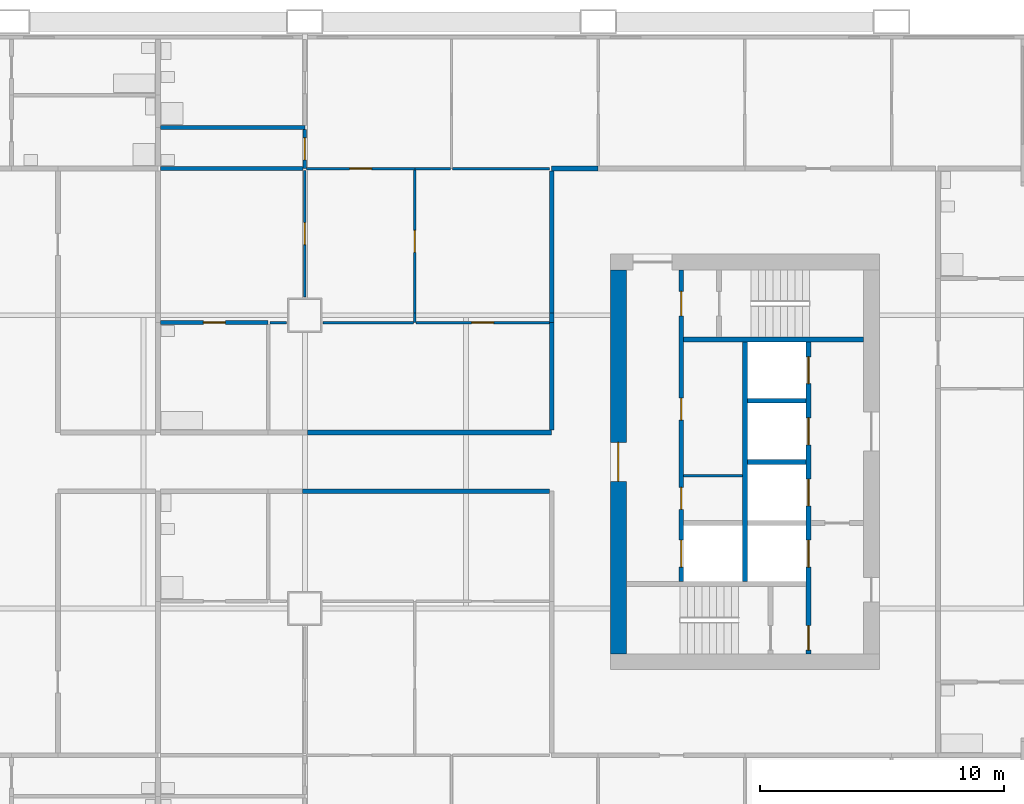
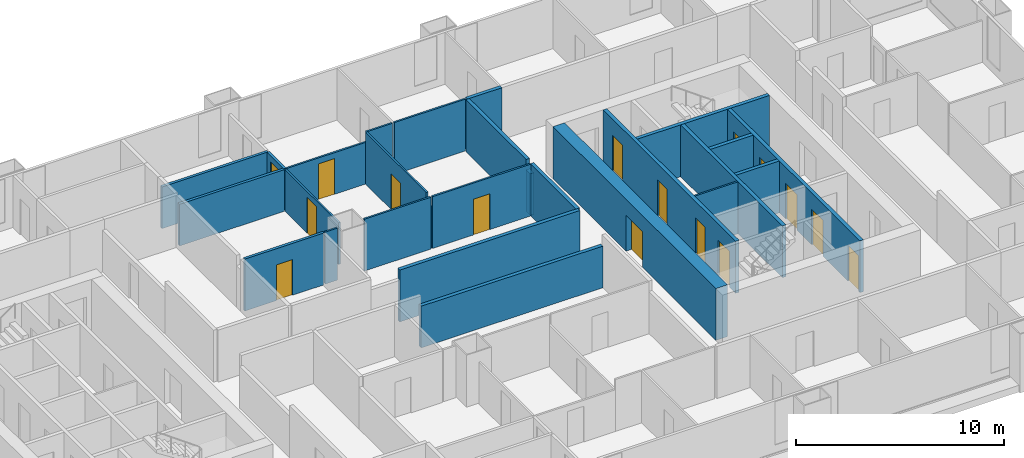
# One storey, part 6 of 11: 27 walls, 16 doors, 16 openings.
"""IFC4 building model written with IfcOpenShell, lengths in metres."""

from ifc_helpers import new_model, si_unit, direction, frame, frame_2d, origin, place, context, subcontext, project, spatial, rectangle, extrude, material, layer, layer_set, type_object, element, fill, save


model = new_model("IFC4")

# Units and contexts
model_context = context("Model", 3, precision=1e-05, world=origin(), true_north=direction((0.0, 1.0)))
body_context = subcontext(model_context, "Body", "Model", "MODEL_VIEW")
ifc_project = project(units=[si_unit("LENGTHUNIT", "METRE"), si_unit("AREAUNIT", "SQUARE_METRE"), si_unit("VOLUMEUNIT", "CUBIC_METRE"), si_unit("PLANEANGLEUNIT", "RADIAN"), si_unit("MASSUNIT", "GRAM", prefix="KILO")], contexts=[model_context])

# Site, building, storey
site_placement = place(None, origin())
site = spatial("IfcSite", under=ifc_project, at=site_placement, CompositionType="ELEMENT")
building_placement = place(site_placement, origin())
building = spatial("IfcBuilding", under=site, at=building_placement, Name="Kitamizu Gate Tower and Museum", CompositionType="ELEMENT")
storey_placement = place(building_placement, frame((0.0, 0.0, 106.949951171875)))
storey = spatial("IfcBuildingStorey", under=building, at=storey_placement, Name="L27", CompositionType="ELEMENT", Elevation=106.949951171875)

# Wall, opening, door
ifc_material_1 = material(Name="Concrete Fc60", Category="concrete")
ifc_layer_1 = layer(ifc_material_1, 0.64990234375)
ifc_layer_set_1 = layer_set([ifc_layer_1], Name="Concrete Fc60")
wall_type_1 = type_object("IfcWallType", Name="Core wall 650", PredefinedType="SHEAR", material=ifc_layer_set_1)
wall_1_placement = place(storey_placement, frame((48.824951171875, 22.14990234375, 0.0), z_axis=(0.0, 0.0, 1.0), x_axis=(0.0, 1.0, 0.0)))
wall_1 = element("IfcWall", 1, at=wall_1_placement, inside=storey, type_object=wall_type_1, Name="Core wall EARC", PredefinedType="SHEAR", context=body_context, shape_type="SweptSolid", body=[
    extrude(rectangle(XDim=15.7001953125, YDim=0.64990234375, at=frame_2d((7.85009765625, 0.0))), origin(), (0.0, 0.0, 1.0), 3.050048828125),
])
opening_1_placement = place(wall_1_placement, frame((7.050048828125, 0.0, 0.0)))
opening_1 = element("IfcOpeningElement", 2, at=opening_1_placement, cuts=wall_1, Name="Opening L27-072", PredefinedType="OPENING", context=body_context, shape_type="SweptSolid", body=[
    extrude(rectangle(XDim=1.60009765625, YDim=2.10009765625, at=frame_2d((0.800048828125, 1.050048828125))), frame((0.0, 0.3349609375, 0.0), z_axis=(0.0, -1.0, 0.0), x_axis=(1.0, 0.0, 0.0)), (0.0, 0.0, 1.0), 0.669921875),
])
ifc_material_2 = material(Name="Timber door set", Category="wood")
door_type_1 = type_object("IfcDoorType", Name="Entrance door 1600", OperationType="DOUBLE_DOOR_SINGLE_SWING", PredefinedType="DOOR", material=ifc_material_2)
door_1_placement = place(opening_1_placement, origin())
door_1 = element("IfcDoor", 3, at=door_1_placement, inside=storey, type_object=door_type_1, Name="Lobby door L27-072", OperationType="DOUBLE_DOOR_SINGLE_SWING", OverallHeight=2.10009765625, OverallWidth=1.60009765625, PredefinedType="DOOR", context=body_context, shape_type="SweptSolid", body=[
    extrude(rectangle(XDim=1.60009765625, YDim=2.10009765625, at=frame_2d((0.800048828125, 1.050048828125))), frame((0.0, 0.02490234375, 0.0), z_axis=(0.0, -1.0, 0.0), x_axis=(1.0, 0.0, 0.0)), (0.0, 0.0, 1.0), 0.050048828125),
])
fill(opening_1, door_1)

# Wall
ifc_material_3 = material(Name="Gypsum board on galvanised stud")
ifc_layer_2 = layer(ifc_material_3, 0.10009765625)
ifc_layer_set_2 = layer_set([ifc_layer_2], Name="Gypsum board on galvanised stud")
wall_type_2 = type_object("IfcWallType", Name="Partition 100", PredefinedType="PARTITIONING", material=ifc_layer_set_2)
wall_2_placement = place(storey_placement, frame((53.89990234375, 29.425048828125, 0.0), z_axis=(0.0, 0.0, 1.0), x_axis=(-1.0, 0.0, 0.0)))
element("IfcWall", 4, at=wall_2_placement, inside=storey, type_object=wall_type_2, Name="Partition EPF1", PredefinedType="PARTITIONING", context=body_context, shape_type="SweptSolid", body=[
    extrude(rectangle(XDim=2.39990234375, YDim=0.10009765625, at=frame_2d((1.199951171875, 0.0))), origin(), (0.0, 0.0, 1.0), 3.050048828125),
])

# Wall, opening, door
ifc_material_4 = material(Name="Gypsum board on galvanised stud")
ifc_layer_3 = layer(ifc_material_4, 0.10009765625)
ifc_layer_set_3 = layer_set([ifc_layer_3], Name="Gypsum board on galvanised stud")
wall_type_3 = type_object("IfcWallType", Name="Partition 100 NOT RATED", PredefinedType="PARTITIONING", material=ifc_layer_set_3)
wall_3_placement = place(storey_placement, frame((36.074951171875, 42.0, 0.0), z_axis=(0.0, 0.0, 1.0), x_axis=(1.0, 0.0, 0.0)))
wall_3 = element("IfcWall", 5, at=wall_3_placement, inside=storey, type_object=wall_type_3, Name="Partition L27-112", PredefinedType="PARTITIONING", context=body_context, shape_type="SweptSolid", body=[
    extrude(rectangle(XDim=4.425048828125, YDim=0.10009765625, at=frame_2d((2.21240234375, 0.0))), origin(), (0.0, 0.0, 1.0), 2.449951171875),
])
opening_2_placement = place(wall_3_placement, frame((1.762451171875, 0.0, 0.0)))
opening_2 = element("IfcOpeningElement", 6, at=opening_2_placement, cuts=wall_3, Name="Opening L27-044", PredefinedType="OPENING", context=body_context, shape_type="SweptSolid", body=[
    extrude(rectangle(XDim=0.89990234375, YDim=2.10009765625, at=frame_2d((0.449951171875, 1.050048828125))), frame((0.0, 0.06005859375, 0.0), z_axis=(0.0, -1.0, 0.0), x_axis=(1.0, 0.0, 0.0)), (0.0, 0.0, 1.0), 0.1201171875),
])
ifc_material_5 = material(Name="Timber door set", Category="wood")
door_type_2 = type_object("IfcDoorType", Name="Room door 900", OperationType="NOTDEFINED", PredefinedType="DOOR", material=ifc_material_5)
door_2_placement = place(opening_2_placement, frame((0.89990234375, 0.0, 0.0), x_axis=(-1.0, 0.0, 0.0)))
door_2 = element("IfcDoor", 7, at=door_2_placement, inside=storey, type_object=door_type_2, Name="Door L27-044", OperationType="SINGLE_SWING_RIGHT", OverallHeight=2.10009765625, OverallWidth=0.89990234375, PredefinedType="DOOR", context=body_context, shape_type="SweptSolid", body=[
    extrude(rectangle(XDim=0.89990234375, YDim=2.10009765625, at=frame_2d((0.449951171875, 1.050048828125))), frame((0.0, 0.02490234375, 0.0), z_axis=(0.0, -1.0, 0.0), x_axis=(1.0, 0.0, 0.0)), (0.0, 0.0, 1.0), 0.050048828125),
])
fill(opening_2, door_2)

# Walls
wall_4_placement = place(storey_placement, frame((40.5, 42.0, 0.0), z_axis=(0.0, 0.0, 1.0), x_axis=(1.0, 0.0, 0.0)))
element("IfcWall", 8, at=wall_4_placement, inside=storey, type_object=wall_type_3, Name="Partition L27-113", PredefinedType="PARTITIONING", context=body_context, shape_type="SweptSolid", body=[
    extrude(rectangle(XDim=1.449951171875, YDim=0.10009765625, at=frame_2d((0.72509765625, 0.0))), origin(), (0.0, 0.0, 1.0), 3.050048828125),
])
wall_5_placement = place(storey_placement, frame((42.050048828125, 42.0, 0.0), z_axis=(0.0, 0.0, 1.0), x_axis=(1.0, 0.0, 0.0)))
element("IfcWall", 9, at=wall_5_placement, inside=storey, type_object=wall_type_3, Name="Partition L27-115", PredefinedType="PARTITIONING", context=body_context, shape_type="SweptSolid", body=[
    extrude(rectangle(XDim=3.949951171875, YDim=0.10009765625, at=frame_2d((1.97509765625, 0.0))), origin(), (0.0, 0.0, 1.0), 3.050048828125),
])

# Wall, opening, door
wall_6_placement = place(storey_placement, frame((36.0, 36.75, 0.0), z_axis=(0.0, 0.0, 1.0), x_axis=(0.0, 1.0, 0.0)))
wall_6 = element("IfcWall", 10, at=wall_6_placement, inside=storey, type_object=wall_type_3, Name="Partition L27-122", PredefinedType="PARTITIONING", context=body_context, shape_type="SweptSolid", body=[
    extrude(rectangle(XDim=5.175048828125, YDim=0.10009765625, at=frame_2d((2.58740234375, 0.0))), origin(), (0.0, 0.0, 1.0), 2.449951171875),
])
opening_3_placement = place(wall_6_placement, frame((2.137451171875, 0.0, 0.0)))
opening_3 = element("IfcOpeningElement", 11, at=opening_3_placement, cuts=wall_6, Name="Opening L27-049", PredefinedType="OPENING", context=body_context, shape_type="SweptSolid", body=[
    extrude(rectangle(XDim=0.89990234375, YDim=2.10009765625, at=frame_2d((0.449951171875, 1.050048828125))), frame((0.0, 0.06005859375, 0.0), z_axis=(0.0, -1.0, 0.0), x_axis=(1.0, 0.0, 0.0)), (0.0, 0.0, 1.0), 0.1201171875),
])
door_3_placement = place(opening_3_placement, frame((0.89990234375, 0.0, 0.0), x_axis=(-1.0, 0.0, 0.0)))
door_3 = element("IfcDoor", 12, at=door_3_placement, inside=storey, type_object=door_type_2, Name="Door L27-049", OperationType="SINGLE_SWING_LEFT", OverallHeight=2.10009765625, OverallWidth=0.89990234375, PredefinedType="DOOR", context=body_context, shape_type="SweptSolid", body=[
    extrude(rectangle(XDim=0.89990234375, YDim=2.10009765625, at=frame_2d((0.449951171875, 1.050048828125))), frame((0.0, 0.02490234375, 0.0), z_axis=(0.0, -1.0, 0.0), x_axis=(1.0, 0.0, 0.0)), (0.0, 0.0, 1.0), 0.050048828125),
])
fill(opening_3, door_3)

# Walls
wall_7_placement = place(storey_placement, frame((34.574951171875, 35.699951171875, 0.0), z_axis=(0.0, 0.0, 1.0), x_axis=(1.0, 0.0, 0.0)))
element("IfcWall", 13, at=wall_7_placement, inside=storey, type_object=wall_type_3, Name="Partition L27-124", PredefinedType="PARTITIONING", context=body_context, shape_type="SweptSolid", body=[
    extrude(rectangle(XDim=0.675048828125, YDim=0.10009765625, at=frame_2d((0.33740234375, 0.0))), origin(), (0.0, 0.0, 1.0), 3.050048828125),
])
wall_8_placement = place(storey_placement, frame((40.5, 35.699951171875, 0.0), z_axis=(0.0, 0.0, 1.0), x_axis=(0.0, 1.0, 0.0)))
element("IfcWall", 14, at=wall_8_placement, inside=storey, type_object=wall_type_3, Name="Partition L27-125", PredefinedType="PARTITIONING", context=body_context, shape_type="SweptSolid", body=[
    extrude(rectangle(XDim=0.400146484375, YDim=0.10009765625, at=frame_2d((0.2001953125, 0.0))), origin(), (0.0, 0.0, 1.0), 2.449951171875),
])

# Wall, opening, door
wall_9_placement = place(storey_placement, frame((40.5, 36.10009765625, 0.0), z_axis=(0.0, 0.0, 1.0), x_axis=(0.0, 1.0, 0.0)))
wall_9 = element("IfcWall", 15, at=wall_9_placement, inside=storey, type_object=wall_type_3, Name="Partition L27-126", PredefinedType="PARTITIONING", context=body_context, shape_type="SweptSolid", body=[
    extrude(rectangle(XDim=5.849853515625, YDim=0.10009765625, at=frame_2d((2.9248046875, 0.0))), origin(), (0.0, 0.0, 1.0), 3.050048828125),
])
opening_4_placement = place(wall_9_placement, frame((2.47509765625, 0.0, 0.0)))
opening_4 = element("IfcOpeningElement", 16, at=opening_4_placement, cuts=wall_9, Name="Opening L27-045", PredefinedType="OPENING", context=body_context, shape_type="SweptSolid", body=[
    extrude(rectangle(XDim=0.89990234375, YDim=2.10009765625, at=frame_2d((0.449951171875, 1.050048828125))), frame((0.0, 0.06005859375, 0.0), z_axis=(0.0, -1.0, 0.0), x_axis=(1.0, 0.0, 0.0)), (0.0, 0.0, 1.0), 0.1201171875),
])
door_4_placement = place(opening_4_placement, origin())
door_4 = element("IfcDoor", 17, at=door_4_placement, inside=storey, type_object=door_type_2, Name="Door L27-045", OperationType="SINGLE_SWING_RIGHT", OverallHeight=2.10009765625, OverallWidth=0.89990234375, PredefinedType="DOOR", context=body_context, shape_type="SweptSolid", body=[
    extrude(rectangle(XDim=0.89990234375, YDim=2.10009765625, at=frame_2d((0.449951171875, 1.050048828125))), frame((0.0, 0.02490234375, 0.0), z_axis=(0.0, -1.0, 0.0), x_axis=(1.0, 0.0, 0.0)), (0.0, 0.0, 1.0), 0.050048828125),
])
fill(opening_4, door_4)

# Wall
wall_10_placement = place(storey_placement, frame((36.75, 35.699951171875, 0.0), z_axis=(0.0, 0.0, 1.0), x_axis=(1.0, 0.0, 0.0)))
element("IfcWall", 18, at=wall_10_placement, inside=storey, type_object=wall_type_3, Name="Partition L27-127", PredefinedType="PARTITIONING", context=body_context, shape_type="SweptSolid", body=[
    extrude(rectangle(XDim=3.699951171875, YDim=0.10009765625, at=frame_2d((1.85009765625, 0.0))), origin(), (0.0, 0.0, 1.0), 3.050048828125),
])

# Wall, opening, door
wall_11_placement = place(storey_placement, frame((40.550048828125, 35.699951171875, 0.0), z_axis=(0.0, 0.0, 1.0), x_axis=(1.0, 0.0, 0.0)))
wall_11 = element("IfcWall", 19, at=wall_11_placement, inside=storey, type_object=wall_type_3, Name="Partition L27-128", PredefinedType="PARTITIONING", context=body_context, shape_type="SweptSolid", body=[
    extrude(rectangle(XDim=5.449951171875, YDim=0.10009765625, at=frame_2d((2.72509765625, 0.0))), origin(), (0.0, 0.0, 1.0), 3.050048828125),
])
opening_5_placement = place(wall_11_placement, frame((2.27490234375, 0.0, 0.0)))
opening_5 = element("IfcOpeningElement", 20, at=opening_5_placement, cuts=wall_11, Name="Opening L27-046", PredefinedType="OPENING", context=body_context, shape_type="SweptSolid", body=[
    extrude(rectangle(XDim=0.89990234375, YDim=2.10009765625, at=frame_2d((0.449951171875, 1.050048828125))), frame((0.0, 0.06005859375, 0.0), z_axis=(0.0, -1.0, 0.0), x_axis=(1.0, 0.0, 0.0)), (0.0, 0.0, 1.0), 0.1201171875),
])
door_5_placement = place(opening_5_placement, origin())
door_5 = element("IfcDoor", 21, at=door_5_placement, inside=storey, type_object=door_type_2, Name="Door L27-046", OperationType="SINGLE_SWING_LEFT", OverallHeight=2.10009765625, OverallWidth=0.89990234375, PredefinedType="DOOR", context=body_context, shape_type="SweptSolid", body=[
    extrude(rectangle(XDim=0.89990234375, YDim=2.10009765625, at=frame_2d((0.449951171875, 1.050048828125))), frame((0.0, 0.02490234375, 0.0), z_axis=(0.0, -1.0, 0.0), x_axis=(1.0, 0.0, 0.0)), (0.0, 0.0, 1.0), 0.050048828125),
])
fill(opening_5, door_5)

# Wall
ifc_material_6 = material(Name="Gypsum board on galvanised stud")
ifc_layer_4 = layer(ifc_material_6, 0.14990234375)
ifc_layer_set_4 = layer_set([ifc_layer_4], Name="Gypsum board on galvanised stud")
wall_type_4 = type_object("IfcWallType", Name="Partition 150", PredefinedType="PARTITIONING", material=ifc_layer_set_4)
wall_12_placement = place(storey_placement, frame((30.10009765625, 43.679931640625, 0.0), z_axis=(0.0, 0.0, 1.0), x_axis=(1.0, 0.0, 0.0)))
element("IfcWall", 22, at=wall_12_placement, inside=storey, type_object=wall_type_4, Name="Partition L27-107", PredefinedType="PARTITIONING", context=body_context, shape_type="SweptSolid", body=[
    extrude(rectangle(XDim=5.89990234375, YDim=0.14990234375, at=frame_2d((2.949951171875, 0.0))), origin(), (0.0, 0.0, 1.0), 2.449951171875),
])

# Wall, opening, door
wall_13_placement = place(storey_placement, frame((36.0, 42.0, 0.0), z_axis=(0.0, 0.0, 1.0), x_axis=(0.0, 1.0, 0.0)))
wall_13 = element("IfcWall", 23, at=wall_13_placement, inside=storey, type_object=wall_type_4, Name="Partition L27-109", PredefinedType="PARTITIONING", context=body_context, shape_type="SweptSolid", body=[
    extrude(rectangle(XDim=1.60498046875, YDim=0.14990234375, at=frame_2d((0.802490234375, 0.0))), origin(), (0.0, 0.0, 1.0), 2.449951171875),
])
opening_6_placement = place(wall_13_placement, frame((0.3525390625, 0.0, 0.0)))
opening_6 = element("IfcOpeningElement", 24, at=opening_6_placement, cuts=wall_13, Name="Opening L27-048", PredefinedType="OPENING", context=body_context, shape_type="SweptSolid", body=[
    extrude(rectangle(XDim=0.89990234375, YDim=2.10009765625, at=frame_2d((0.449951171875, 1.050048828125))), frame((0.0, 0.0849609375, 0.0), z_axis=(0.0, -1.0, 0.0), x_axis=(1.0, 0.0, 0.0)), (0.0, 0.0, 1.0), 0.169921875),
])
ifc_material_7 = material(Name="Timber door set", Category="wood")
door_type_3 = type_object("IfcDoorType", Name="Bathroom door 900", OperationType="NOTDEFINED", PredefinedType="DOOR", material=ifc_material_7)
door_6_placement = place(opening_6_placement, origin())
door_6 = element("IfcDoor", 25, at=door_6_placement, inside=storey, type_object=door_type_3, Name="Bathroom door L27-048", OperationType="SINGLE_SWING_LEFT", OverallHeight=2.10009765625, OverallWidth=0.89990234375, PredefinedType="DOOR", context=body_context, shape_type="SweptSolid", body=[
    extrude(rectangle(XDim=0.89990234375, YDim=2.10009765625, at=frame_2d((0.449951171875, 1.050048828125))), frame((0.0, 0.02490234375, 0.0), z_axis=(0.0, -1.0, 0.0), x_axis=(1.0, 0.0, 0.0)), (0.0, 0.0, 1.0), 0.050048828125),
])
fill(opening_6, door_6)

# Wall
wall_14_placement = place(storey_placement, frame((30.10009765625, 42.0, 0.0), z_axis=(0.0, 0.0, 1.0), x_axis=(1.0, 0.0, 0.0)))
element("IfcWall", 26, at=wall_14_placement, inside=storey, type_object=wall_type_4, Name="Partition L27-110", PredefinedType="PARTITIONING", context=body_context, shape_type="SweptSolid", body=[
    extrude(rectangle(XDim=5.824951171875, YDim=0.14990234375, at=frame_2d((2.91259765625, 0.0))), origin(), (0.0, 0.0, 1.0), 2.449951171875),
])

# Wall, opening, door
wall_15_placement = place(storey_placement, frame((30.10009765625, 35.699951171875, 0.0), z_axis=(0.0, 0.0, 1.0), x_axis=(1.0, 0.0, 0.0)))
wall_15 = element("IfcWall", 27, at=wall_15_placement, inside=storey, type_object=wall_type_4, Name="Partition L27-123", PredefinedType="PARTITIONING", context=body_context, shape_type="SweptSolid", body=[
    extrude(rectangle(XDim=4.39990234375, YDim=0.14990234375, at=frame_2d((2.199951171875, 0.0))), origin(), (0.0, 0.0, 1.0), 3.050048828125),
])
opening_7_placement = place(wall_15_placement, frame((1.75, 0.0, 0.0)))
opening_7 = element("IfcOpeningElement", 28, at=opening_7_placement, cuts=wall_15, Name="Opening L27-050", PredefinedType="OPENING", context=body_context, shape_type="SweptSolid", body=[
    extrude(rectangle(XDim=0.89990234375, YDim=2.10009765625, at=frame_2d((0.449951171875, 1.050048828125))), frame((0.0, 0.0849609375, 0.0), z_axis=(0.0, -1.0, 0.0), x_axis=(1.0, 0.0, 0.0)), (0.0, 0.0, 1.0), 0.169921875),
])
door_7_placement = place(opening_7_placement, frame((0.89990234375, 0.0, 0.0), x_axis=(-1.0, 0.0, 0.0)))
door_7 = element("IfcDoor", 29, at=door_7_placement, inside=storey, type_object=door_type_3, Name="Bathroom door L27-050", OperationType="SINGLE_SWING_RIGHT", OverallHeight=2.10009765625, OverallWidth=0.89990234375, PredefinedType="DOOR", context=body_context, shape_type="SweptSolid", body=[
    extrude(rectangle(XDim=0.89990234375, YDim=2.10009765625, at=frame_2d((0.449951171875, 1.050048828125))), frame((0.0, 0.02490234375, 0.0), z_axis=(0.0, -1.0, 0.0), x_axis=(1.0, 0.0, 0.0)), (0.0, 0.0, 1.0), 0.050048828125),
])
fill(opening_7, door_7)

# Walls
ifc_material_8 = material(Name="Gypsum board on galvanised stud")
ifc_layer_5 = layer(ifc_material_8, 0.199951171875)
ifc_layer_set_5 = layer_set([ifc_layer_5], Name="Gypsum board on galvanised stud")
wall_type_5 = type_object("IfcWallType", Name="Partition 200", PredefinedType="PARTITIONING", material=ifc_layer_set_5)
wall_16_placement = place(storey_placement, frame((46.0, 28.800048828125, 0.0), z_axis=(0.0, 0.0, 1.0), x_axis=(-1.0, 0.0, 0.0)))
element("IfcWall", 30, at=wall_16_placement, inside=storey, type_object=wall_type_5, Name="Partition L27-066", PredefinedType="PARTITIONING", context=body_context, shape_type="SweptSolid", body=[
    extrude(rectangle(XDim=10.10009765625, YDim=0.199951171875, at=frame_2d((5.050048828125, 0.0))), origin(), (0.0, 0.0, 1.0), 2.449951171875),
])
wall_17_placement = place(storey_placement, frame((46.10009765625, 42.0, 0.0), z_axis=(0.0, 0.0, 1.0), x_axis=(1.0, 0.0, 0.0)))
element("IfcWall", 31, at=wall_17_placement, inside=storey, type_object=wall_type_5, Name="Partition L27-116", PredefinedType="PARTITIONING", context=body_context, shape_type="SweptSolid", body=[
    extrude(rectangle(XDim=1.89990234375, YDim=0.199951171875, at=frame_2d((0.949951171875, 0.0))), origin(), (0.0, 0.0, 1.0), 3.050048828125),
])
wall_18_placement = place(storey_placement, frame((46.10009765625, 35.699951171875, 0.0), z_axis=(0.0, 0.0, 1.0), x_axis=(0.0, 1.0, 0.0)))
element("IfcWall", 32, at=wall_18_placement, inside=storey, type_object=wall_type_5, Name="Partition L27-129", PredefinedType="PARTITIONING", context=body_context, shape_type="SweptSolid", body=[
    extrude(rectangle(XDim=0.400146484375, YDim=0.199951171875, at=frame_2d((0.2001953125, 0.0))), origin(), (0.0, 0.0, 1.0), 2.449951171875),
])
wall_19_placement = place(storey_placement, frame((46.10009765625, 36.10009765625, 0.0), z_axis=(0.0, 0.0, 1.0), x_axis=(0.0, 1.0, 0.0)))
element("IfcWall", 33, at=wall_19_placement, inside=storey, type_object=wall_type_5, Name="Partition L27-130", PredefinedType="PARTITIONING", context=body_context, shape_type="SweptSolid", body=[
    extrude(rectangle(XDim=5.7998046875, YDim=0.199951171875, at=frame_2d((2.89990234375, 0.0))), origin(), (0.0, 0.0, 1.0), 3.050048828125),
])
wall_20_placement = place(storey_placement, frame((36.10009765625, 31.199951171875, 0.0), z_axis=(0.0, 0.0, 1.0), x_axis=(1.0, 0.0, 0.0)))
element("IfcWall", 34, at=wall_20_placement, inside=storey, type_object=wall_type_5, Name="Partition L27-134", PredefinedType="PARTITIONING", context=body_context, shape_type="SweptSolid", body=[
    extrude(rectangle(XDim=10.0, YDim=0.199951171875, at=frame_2d((5.0, 0.0))), origin(), (0.0, 0.0, 1.0), 3.050048828125),
])
wall_21_placement = place(storey_placement, frame((46.10009765625, 31.300048828125, 0.0), z_axis=(0.0, 0.0, 1.0), x_axis=(0.0, 1.0, 0.0)))
element("IfcWall", 35, at=wall_21_placement, inside=storey, type_object=wall_type_5, Name="Partition L27-135", PredefinedType="PARTITIONING", context=body_context, shape_type="SweptSolid", body=[
    extrude(rectangle(XDim=4.39990234375, YDim=0.199951171875, at=frame_2d((2.199951171875, 0.0))), origin(), (0.0, 0.0, 1.0), 3.050048828125),
])

# Wall, openings, doors
ifc_material_9 = material(Name="Concrete Fc42", Category="concrete")
ifc_layer_6 = layer(ifc_material_9, 0.199951171875)
ifc_layer_set_6 = layer_set([ifc_layer_6], Name="Concrete Fc42")
wall_type_6 = type_object("IfcWallType", Name="Shaft wall 200", PredefinedType="SOLIDWALL", material=ifc_layer_set_6)
wall_22_placement = place(storey_placement, frame((56.60009765625, 22.14990234375, 0.0), z_axis=(0.0, 0.0, 1.0), x_axis=(0.0, 1.0, 0.0)))
wall_22 = element("IfcWall", 36, at=wall_22_placement, inside=storey, type_object=wall_type_6, Name="Shaft wall EWEST", PredefinedType="SOLIDWALL", context=body_context, shape_type="SweptSolid", body=[
    extrude(rectangle(XDim=12.75, YDim=0.199951171875, at=frame_2d((6.375, 0.0))), origin(), (0.0, 0.0, 1.0), 3.050048828125),
])
opening_8_placement = place(wall_22_placement, frame((3.550048828125, 0.0, 0.0)))
opening_8 = element("IfcOpeningElement", 37, at=opening_8_placement, cuts=wall_22, Name="Opening LD", PredefinedType="OPENING", context=body_context, shape_type="SweptSolid", body=[
    extrude(rectangle(XDim=1.10009765625, YDim=2.10009765625, at=frame_2d((0.550048828125, 1.050048828125))), frame((0.0, 0.10986328125, 0.0), z_axis=(0.0, -1.0, 0.0), x_axis=(1.0, 0.0, 0.0)), (0.0, 0.0, 1.0), 0.219970703125),
])
opening_9_placement = place(wall_22_placement, frame((6.050048828125, 0.0, 0.0)))
opening_9 = element("IfcOpeningElement", 38, at=opening_9_placement, cuts=wall_22, Name="Opening LD", PredefinedType="OPENING", context=body_context, shape_type="SweptSolid", body=[
    extrude(rectangle(XDim=1.10009765625, YDim=2.10009765625, at=frame_2d((0.550048828125, 1.050048828125))), frame((0.0, 0.10986328125, 0.0), z_axis=(0.0, -1.0, 0.0), x_axis=(1.0, 0.0, 0.0)), (0.0, 0.0, 1.0), 0.219970703125),
])
opening_10_placement = place(wall_22_placement, frame((8.550048828125, 0.0, 0.0)))
opening_10 = element("IfcOpeningElement", 39, at=opening_10_placement, cuts=wall_22, Name="Opening LD", PredefinedType="OPENING", context=body_context, shape_type="SweptSolid", body=[
    extrude(rectangle(XDim=1.10009765625, YDim=2.10009765625, at=frame_2d((0.550048828125, 1.050048828125))), frame((0.0, 0.10986328125, 0.0), z_axis=(0.0, -1.0, 0.0), x_axis=(1.0, 0.0, 0.0)), (0.0, 0.0, 1.0), 0.219970703125),
])
opening_11_placement = place(wall_22_placement, frame((11.050048828125, 0.0, 0.0)))
opening_11 = element("IfcOpeningElement", 40, at=opening_11_placement, cuts=wall_22, Name="Opening LD", PredefinedType="OPENING", context=body_context, shape_type="SweptSolid", body=[
    extrude(rectangle(XDim=1.10009765625, YDim=2.10009765625, at=frame_2d((0.550048828125, 1.050048828125))), frame((0.0, 0.10986328125, 0.0), z_axis=(0.0, -1.0, 0.0), x_axis=(1.0, 0.0, 0.0)), (0.0, 0.0, 1.0), 0.219970703125),
])
opening_12_placement = place(wall_22_placement, frame((0.14990234375, 0.0, 0.0)))
opening_12 = element("IfcOpeningElement", 41, at=opening_12_placement, cuts=wall_22, Name="Opening L27-065", PredefinedType="OPENING", context=body_context, shape_type="SweptSolid", body=[
    extrude(rectangle(XDim=1.0, YDim=2.10009765625, at=frame_2d((0.5, 1.050048828125))), frame((0.0, 0.10986328125, 0.0), z_axis=(0.0, -1.0, 0.0), x_axis=(1.0, 0.0, 0.0)), (0.0, 0.0, 1.0), 0.219970703125),
])
ifc_material_10 = material(Name="Hollow metal door set")
door_type_4 = type_object("IfcDoorType", Name="Fire door 1000", OperationType="NOTDEFINED", PredefinedType="DOOR", material=ifc_material_10)
door_8_placement = place(opening_12_placement, origin())
door_8 = element("IfcDoor", 42, at=door_8_placement, inside=storey, type_object=door_type_4, Name="Stair lobby door L27-065", OperationType="SINGLE_SWING_RIGHT", OverallHeight=2.10009765625, OverallWidth=1.0, PredefinedType="DOOR", context=body_context, shape_type="SweptSolid", body=[
    extrude(rectangle(XDim=1.0, YDim=2.10009765625, at=frame_2d((0.5, 1.050048828125))), frame((0.0, 0.02490234375, 0.0), z_axis=(0.0, -1.0, 0.0), x_axis=(1.0, 0.0, 0.0)), (0.0, 0.0, 1.0), 0.050048828125),
])
fill(opening_12, door_8)
ifc_material_11 = material(Name="Hollow metal door set")
door_type_5 = type_object("IfcDoorType", Name="Landing door 1100", OperationType="SLIDING_TO_LEFT", PredefinedType="DOOR", material=ifc_material_11)
door_9_placement = place(opening_8_placement, origin())
door_9 = element("IfcDoor", 43, at=door_9_placement, inside=storey, type_object=door_type_5, Name="Landing door EFF1", OperationType="SLIDING_TO_LEFT", OverallHeight=2.10009765625, OverallWidth=1.10009765625, PredefinedType="DOOR", context=body_context, shape_type="SweptSolid", body=[
    extrude(rectangle(XDim=1.10009765625, YDim=2.10009765625, at=frame_2d((0.550048828125, 1.050048828125))), frame((0.0, 0.02490234375, 0.0), z_axis=(0.0, -1.0, 0.0), x_axis=(1.0, 0.0, 0.0)), (0.0, 0.0, 1.0), 0.050048828125),
])
fill(opening_8, door_9)
door_10_placement = place(opening_9_placement, origin())
door_10 = element("IfcDoor", 44, at=door_10_placement, inside=storey, type_object=door_type_5, Name="Landing door EL1", OperationType="SLIDING_TO_LEFT", OverallHeight=2.10009765625, OverallWidth=1.10009765625, PredefinedType="DOOR", context=body_context, shape_type="SweptSolid", body=[
    extrude(rectangle(XDim=1.10009765625, YDim=2.10009765625, at=frame_2d((0.550048828125, 1.050048828125))), frame((0.0, 0.02490234375, 0.0), z_axis=(0.0, -1.0, 0.0), x_axis=(1.0, 0.0, 0.0)), (0.0, 0.0, 1.0), 0.050048828125),
])
fill(opening_9, door_10)
door_11_placement = place(opening_10_placement, origin())
door_11 = element("IfcDoor", 45, at=door_11_placement, inside=storey, type_object=door_type_5, Name="Landing door EL2", OperationType="SLIDING_TO_LEFT", OverallHeight=2.10009765625, OverallWidth=1.10009765625, PredefinedType="DOOR", context=body_context, shape_type="SweptSolid", body=[
    extrude(rectangle(XDim=1.10009765625, YDim=2.10009765625, at=frame_2d((0.550048828125, 1.050048828125))), frame((0.0, 0.02490234375, 0.0), z_axis=(0.0, -1.0, 0.0), x_axis=(1.0, 0.0, 0.0)), (0.0, 0.0, 1.0), 0.050048828125),
])
fill(opening_10, door_11)
door_12_placement = place(opening_11_placement, origin())
door_12 = element("IfcDoor", 46, at=door_12_placement, inside=storey, type_object=door_type_5, Name="Landing door EL3", OperationType="SLIDING_TO_LEFT", OverallHeight=2.10009765625, OverallWidth=1.10009765625, PredefinedType="DOOR", context=body_context, shape_type="SweptSolid", body=[
    extrude(rectangle(XDim=1.10009765625, YDim=2.10009765625, at=frame_2d((0.550048828125, 1.050048828125))), frame((0.0, 0.02490234375, 0.0), z_axis=(0.0, -1.0, 0.0), x_axis=(1.0, 0.0, 0.0)), (0.0, 0.0, 1.0), 0.050048828125),
])
fill(opening_11, door_12)

wall_23_placement = place(storey_placement, frame((51.39990234375, 25.10009765625, 0.0), z_axis=(0.0, 0.0, 1.0), x_axis=(0.0, 1.0, 0.0)))
wall_23 = element("IfcWall", 47, at=wall_23_placement, inside=storey, type_object=wall_type_6, Name="Shaft wall EEAST", PredefinedType="SOLIDWALL", context=body_context, shape_type="SweptSolid", body=[
    extrude(rectangle(XDim=12.75, YDim=0.199951171875, at=frame_2d((6.375, 0.0))), origin(), (0.0, 0.0, 1.0), 3.050048828125),
])
opening_13_placement = place(wall_23_placement, frame((0.60009765625, 0.0, 0.0)))
opening_13 = element("IfcOpeningElement", 48, at=opening_13_placement, cuts=wall_23, Name="Opening LD", PredefinedType="OPENING", context=body_context, shape_type="SweptSolid", body=[
    extrude(rectangle(XDim=1.10009765625, YDim=2.10009765625, at=frame_2d((0.550048828125, 1.050048828125))), frame((0.0, 0.10986328125, 0.0), z_axis=(0.0, -1.0, 0.0), x_axis=(1.0, 0.0, 0.0)), (0.0, 0.0, 1.0), 0.219970703125),
])
opening_14_placement = place(wall_23_placement, frame((10.875, 0.0, 0.0)))
opening_14 = element("IfcOpeningElement", 49, at=opening_14_placement, cuts=wall_23, Name="Opening L27-066", PredefinedType="OPENING", context=body_context, shape_type="SweptSolid", body=[
    extrude(rectangle(XDim=1.0, YDim=2.10009765625, at=frame_2d((0.5, 1.050048828125))), frame((0.0, 0.10986328125, 0.0), z_axis=(0.0, -1.0, 0.0), x_axis=(1.0, 0.0, 0.0)), (0.0, 0.0, 1.0), 0.219970703125),
])
opening_15_placement = place(wall_23_placement, frame((2.96240234375, 0.0, 0.0)))
opening_15 = element("IfcOpeningElement", 50, at=opening_15_placement, cuts=wall_23, Name="Opening L27-073", PredefinedType="OPENING", context=body_context, shape_type="SweptSolid", body=[
    extrude(rectangle(XDim=0.89990234375, YDim=2.10009765625, at=frame_2d((0.449951171875, 1.050048828125))), frame((0.0, 0.10986328125, 0.0), z_axis=(0.0, -1.0, 0.0), x_axis=(1.0, 0.0, 0.0)), (0.0, 0.0, 1.0), 0.219970703125),
])
opening_16_placement = place(wall_23_placement, frame((6.612548828125, 0.0, 0.0)))
opening_16 = element("IfcOpeningElement", 51, at=opening_16_placement, cuts=wall_23, Name="Opening L27-074", PredefinedType="OPENING", context=body_context, shape_type="SweptSolid", body=[
    extrude(rectangle(XDim=0.89990234375, YDim=2.10009765625, at=frame_2d((0.449951171875, 1.050048828125))), frame((0.0, 0.10986328125, 0.0), z_axis=(0.0, -1.0, 0.0), x_axis=(1.0, 0.0, 0.0)), (0.0, 0.0, 1.0), 0.219970703125),
])
door_13_placement = place(opening_14_placement, frame((1.0, 0.0, 0.0), x_axis=(-1.0, 0.0, 0.0)))
door_13 = element("IfcDoor", 52, at=door_13_placement, inside=storey, type_object=door_type_4, Name="Stair lobby door L27-066", OperationType="SINGLE_SWING_LEFT", OverallHeight=2.10009765625, OverallWidth=1.0, PredefinedType="DOOR", context=body_context, shape_type="SweptSolid", body=[
    extrude(rectangle(XDim=1.0, YDim=2.10009765625, at=frame_2d((0.5, 1.050048828125))), frame((0.0, 0.02490234375, 0.0), z_axis=(0.0, -1.0, 0.0), x_axis=(1.0, 0.0, 0.0)), (0.0, 0.0, 1.0), 0.050048828125),
])
fill(opening_14, door_13)
door_14_placement = place(opening_13_placement, origin())
door_14 = element("IfcDoor", 53, at=door_14_placement, inside=storey, type_object=door_type_5, Name="Landing door ESV1", OperationType="SLIDING_TO_LEFT", OverallHeight=2.10009765625, OverallWidth=1.10009765625, PredefinedType="DOOR", context=body_context, shape_type="SweptSolid", body=[
    extrude(rectangle(XDim=1.10009765625, YDim=2.10009765625, at=frame_2d((0.550048828125, 1.050048828125))), frame((0.0, 0.02490234375, 0.0), z_axis=(0.0, -1.0, 0.0), x_axis=(1.0, 0.0, 0.0)), (0.0, 0.0, 1.0), 0.050048828125),
])
fill(opening_13, door_14)
ifc_material_12 = material(Name="Timber door set", Category="wood")
door_type_6 = type_object("IfcDoorType", Name="Service door 900", OperationType="NOTDEFINED", PredefinedType="DOOR", material=ifc_material_12)
door_15_placement = place(opening_15_placement, frame((0.89990234375, 0.0, 0.0), x_axis=(-1.0, 0.0, 0.0)))
door_15 = element("IfcDoor", 54, at=door_15_placement, inside=storey, type_object=door_type_6, Name="Service door L27-073", OperationType="SINGLE_SWING_LEFT", OverallHeight=2.10009765625, OverallWidth=0.89990234375, PredefinedType="DOOR", context=body_context, shape_type="SweptSolid", body=[
    extrude(rectangle(XDim=0.89990234375, YDim=2.10009765625, at=frame_2d((0.449951171875, 1.050048828125))), frame((0.0, 0.02490234375, 0.0), z_axis=(0.0, -1.0, 0.0), x_axis=(1.0, 0.0, 0.0)), (0.0, 0.0, 1.0), 0.050048828125),
])
fill(opening_15, door_15)
door_16_placement = place(opening_16_placement, frame((0.89990234375, 0.0, 0.0), x_axis=(-1.0, 0.0, 0.0)))
door_16 = element("IfcDoor", 55, at=door_16_placement, inside=storey, type_object=door_type_6, Name="Service door L27-074", OperationType="SINGLE_SWING_RIGHT", OverallHeight=2.10009765625, OverallWidth=0.89990234375, PredefinedType="DOOR", context=body_context, shape_type="SweptSolid", body=[
    extrude(rectangle(XDim=0.89990234375, YDim=2.10009765625, at=frame_2d((0.449951171875, 1.050048828125))), frame((0.0, 0.02490234375, 0.0), z_axis=(0.0, -1.0, 0.0), x_axis=(1.0, 0.0, 0.0)), (0.0, 0.0, 1.0), 0.050048828125),
])
fill(opening_16, door_16)

# Walls
wall_24_placement = place(storey_placement, frame((54.0, 25.10009765625, 0.0), z_axis=(0.0, 0.0, 1.0), x_axis=(0.0, 1.0, 0.0)))
element("IfcWall", 56, at=wall_24_placement, inside=storey, type_object=wall_type_6, Name="Shaft wall EMID", PredefinedType="SOLIDWALL", context=body_context, shape_type="SweptSolid", body=[
    extrude(rectangle(XDim=9.7998046875, YDim=0.199951171875, at=frame_2d((4.89990234375, 0.0))), origin(), (0.0, 0.0, 1.0), 3.050048828125),
])
wall_25_placement = place(storey_placement, frame((58.85009765625, 35.0, 0.0), z_axis=(0.0, 0.0, 1.0), x_axis=(-1.0, 0.0, 0.0)))
element("IfcWall", 57, at=wall_25_placement, inside=storey, type_object=wall_type_6, Name="Shaft wall ENB", PredefinedType="SOLIDWALL", context=body_context, shape_type="SweptSolid", body=[
    extrude(rectangle(XDim=7.35009765625, YDim=0.199951171875, at=frame_2d((3.675048828125, 0.0))), origin(), (0.0, 0.0, 1.0), 3.050048828125),
])
for number, where, z_axis, x_axis, name in (
    (58, (56.5, 30.0, 0.0), (0.0, 0.0, 1.0), (-1.0, 0.0, 0.0), "Shaft wall EDVW1"),
    (59, (56.5, 32.5, 0.0), (0.0, 0.0, 1.0), (-1.0, 0.0, 0.0), "Shaft wall EDVW2"),
):
    element("IfcWall", number, at=place(storey_placement, frame(where, z_axis=z_axis, x_axis=x_axis)), inside=storey, type_object=wall_type_6, Name=name, PredefinedType="SOLIDWALL", context=body_context, shape_type="SweptSolid", body=[
        extrude(rectangle(XDim=2.39990234375, YDim=0.199951171875, at=frame_2d((1.199951171875, 0.0))), origin(), (0.0, 0.0, 1.0), 3.050048828125),
    ])

save(model, "model.ifc")
